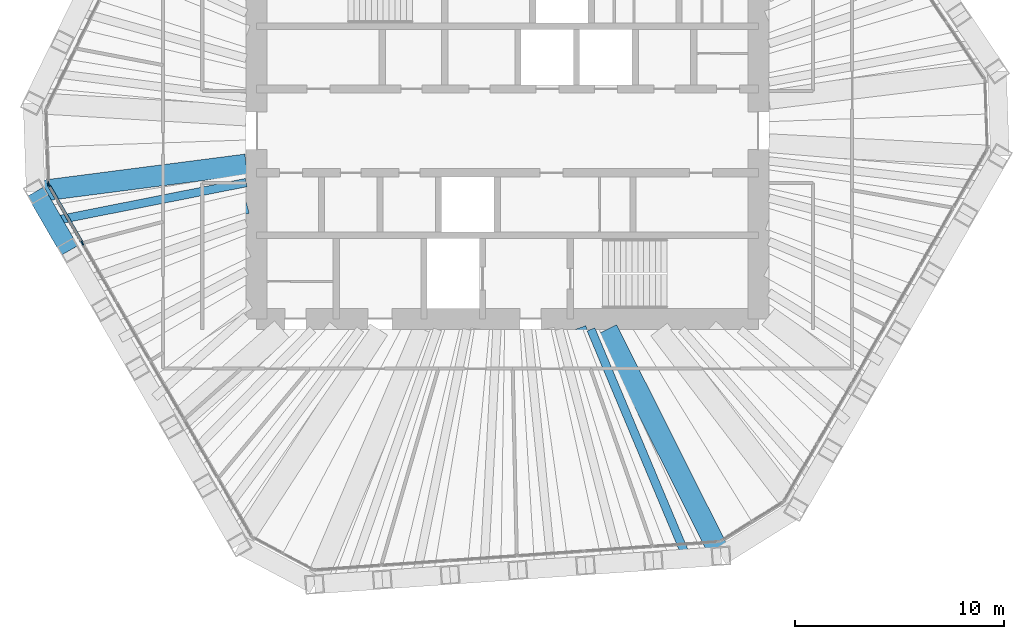
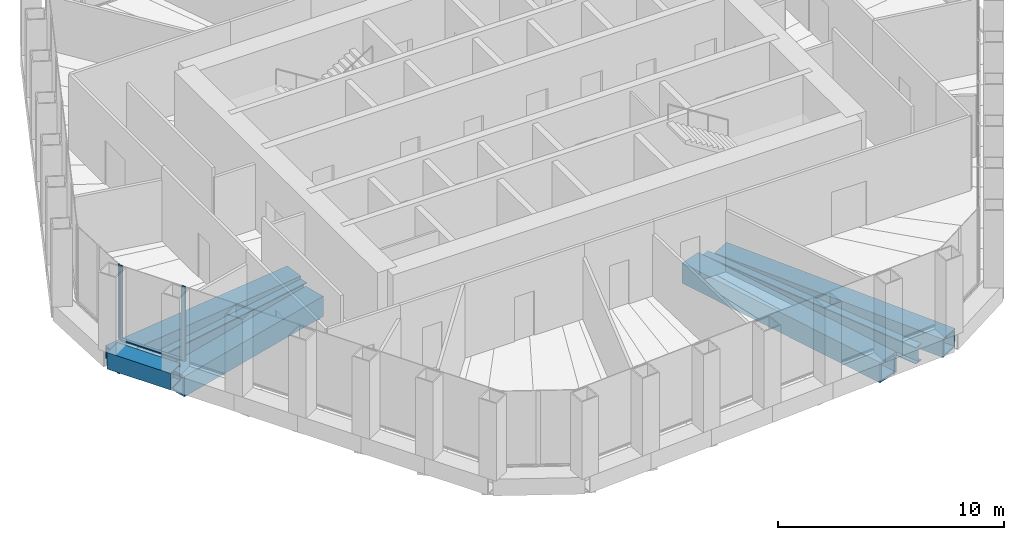
# One storey, part 3 of 14: 7 beams, 4 members, 2 elements without a shape of their own.
"""IFC4 building model written with IfcOpenShell, lengths in metres."""

from ifc_helpers import new_model, si_unit, direction, frame, origin, origin_2d, place, context, subcontext, project, spatial, rectangle, hollow_rectangle, i_section, extrude, material, material_profile, profile_set, type_object, element, aggregate, save


model = new_model("IFC4")

# Units and contexts
model_context = context("Model", 3, precision=1e-05, world=origin(), true_north=direction((0.0, 1.0)))
body_context = subcontext(model_context, "Body", "Model", "MODEL_VIEW")
ifc_project = project(units=[si_unit("LENGTHUNIT", "METRE"), si_unit("AREAUNIT", "SQUARE_METRE"), si_unit("VOLUMEUNIT", "CUBIC_METRE"), si_unit("PLANEANGLEUNIT", "RADIAN"), si_unit("MASSUNIT", "GRAM", prefix="KILO")], contexts=[model_context])

# Site, building, storey
site_placement = place(None, origin())
site = spatial("IfcSite", under=ifc_project, at=site_placement, CompositionType="ELEMENT")
building_placement = place(site_placement, origin())
building = spatial("IfcBuilding", under=site, at=building_placement, Name="Qingtian Harvest Tower", CompositionType="ELEMENT")
storey_placement = place(building_placement, frame((0.0, 0.0, 266.199951171875)))
storey = spatial("IfcBuildingStorey", under=building, at=storey_placement, Name="L58", CompositionType="ELEMENT", Elevation=266.199951171875)

# Beams
ifc_material_1 = material(Name="Steel SN490B", Category="steel")
ifc_material_profile_1 = material_profile(ifc_material_1, i_section(OverallWidth=0.39990234375, OverallDepth=0.89990234375, WebThickness=0.01904296875, FlangeThickness=0.035888671875, at=origin_2d()), Name="H900x400x19x36")
ifc_profile_set_1 = profile_set([ifc_material_profile_1], Name="Steel SN490B")
beam_type_1 = type_object("IfcBeamType", Name="Floor joist J4 H900x400x19x36", PredefinedType="JOIST", material=ifc_profile_set_1)
beam_1_placement = place(storey_placement, frame((8.58935546875, -20.45068359375, -0.619873046875), z_axis=(-0.387238075679, 0.921979757232, 0.0), x_axis=(-0.921979757232, -0.387238075679, 0.0)))
element("IfcBeam", 1, at=beam_1_placement, inside=storey, type_object=beam_type_1, Name="Floor joist J4 S0", PredefinedType="JOIST", context=body_context, shape_type="SweptSolid", body=[
    extrude(i_section(OverallWidth=0.39990234375, OverallDepth=0.89990234375, WebThickness=0.01904296875, FlangeThickness=0.035888671875, at=origin_2d()), origin(), (0.0, 0.0, 1.0), 11.87744140625),
])
beam_2_placement = place(storey_placement, frame((-21.757568359375, -4.31494140625, -0.619873046875), z_axis=(0.980896774681, 0.194528962937, 0.0), x_axis=(-0.194528962937, 0.980896774681, 0.0)))
element("IfcBeam", 2, at=beam_2_placement, inside=storey, type_object=beam_type_1, Name="Floor joist J4 SW5", PredefinedType="JOIST", context=body_context, shape_type="SweptSolid", body=[
    extrude(i_section(OverallWidth=0.39990234375, OverallDepth=0.89990234375, WebThickness=0.01904296875, FlangeThickness=0.035888671875, at=origin_2d()), origin(), (0.0, 0.0, 1.0), 9.437744140625),
])

# Curtain wall, members
ifc_material_2 = material(Name="Bronze-anodised aluminium curtain wall", Category="aluminium")
curtain_wall_type = type_object("IfcCurtainWallType", Name="Curtain wall CW5 upper office", PredefinedType="USERDEFINED", material=ifc_material_2)
curtain_wall_1_placement = place(storey_placement, origin())
curtain_wall_1 = element("IfcCurtainWall", 3, at=curtain_wall_1_placement, inside=storey, type_object=curtain_wall_type, Name="Curtain wall CW5 L58 SW0-5", ObjectType="RECESSED CURTAIN WALL", PredefinedType="USERDEFINED")
ifc_material_3 = material(Name="Bronze-anodised aluminium mullion", Category="aluminium")
ifc_material_profile_2 = material_profile(ifc_material_3, rectangle(XDim=0.06494140625, YDim=0.199951171875, at=origin_2d()), Name="AL 65x200")
ifc_profile_set_2 = profile_set([ifc_material_profile_2], Name="Bronze-anodised aluminium mullion")
member_type_1 = type_object("IfcMemberType", Name="Mullion CWM 65x200", PredefinedType="MULLION", material=ifc_profile_set_2)
member_1_placement = place(storey_placement, frame((-20.33935546875, -5.371337890625, 0.0), z_axis=(0.0, 0.0, 1.0), x_axis=(-0.866025403784, -0.5, 0.0)))
member_1 = element("IfcMember", 4, at=member_1_placement, type_object=member_type_1, Name="CW5 mullion 6", PredefinedType="MULLION", context=body_context, shape_type="SweptSolid", body=[
    extrude(rectangle(XDim=0.06494140625, YDim=0.199951171875, at=origin_2d()), origin(), (0.0, 0.0, 1.0), 4.030029296875),
])
member_2_placement = place(storey_placement, frame((-21.947021484375, -2.586669921875, 0.0), z_axis=(0.0, 0.0, 1.0), x_axis=(-0.866025403784, -0.5, 0.0)))
member_2 = element("IfcMember", 5, at=member_2_placement, type_object=member_type_1, Name="CW5 mullion 7", PredefinedType="MULLION", context=body_context, shape_type="SweptSolid", body=[
    extrude(rectangle(XDim=0.06494140625, YDim=0.199951171875, at=origin_2d()), origin(), (0.0, 0.0, 1.0), 4.030029296875),
])

# Curtain wall, member
curtain_wall_2_placement = place(storey_placement, origin())
curtain_wall_2 = element("IfcCurtainWall", 6, at=curtain_wall_2_placement, inside=storey, type_object=curtain_wall_type, Name="Curtain wall CW5 L58 SWC", ObjectType="RECESSED CURTAIN WALL", PredefinedType="USERDEFINED")
member_3_placement = place(storey_placement, frame((-21.96435546875, -2.526123046875, 0.0), z_axis=(0.0, 0.0, 1.0), x_axis=(-0.999390827019, -0.034899496703, 0.0)))
member_3 = element("IfcMember", 7, at=member_3_placement, type_object=member_type_1, Name="CW5 mullion 1", PredefinedType="MULLION", context=body_context, shape_type="SweptSolid", body=[
    extrude(rectangle(XDim=0.06494140625, YDim=0.199951171875, at=origin_2d()), origin(), (0.0, 0.0, 1.0), 4.030029296875),
])
aggregate(curtain_wall_2, [member_3])

# Beams
ifc_material_4 = material(Name="Steel SM570MC", Category="steel")
ifc_material_profile_3 = material_profile(ifc_material_4, hollow_rectangle(XDim=1.0, YDim=1.0, WallThickness=0.080078125, at=origin_2d()), Name="BOX1000x1000x80")
ifc_profile_set_3 = profile_set([ifc_material_profile_3], Name="Steel SM570MC")
beam_type_2 = type_object("IfcBeamType", Name="Transfer corner beam FB11 BOX1000x1000x80", PredefinedType="BEAM", material=ifc_profile_set_3)
beam_3_placement = place(storey_placement, frame((10.20947265625, -20.33740234375, -0.669921875), z_axis=(-0.448646499463, 0.89370930314, 0.0), x_axis=(-0.89370930314, -0.448646499463, 0.0)))
element("IfcBeam", 8, at=beam_3_placement, inside=storey, type_object=beam_type_2, Name="Floor beam FB11 S0", PredefinedType="BEAM", context=body_context, shape_type="SweptSolid", body=[
    extrude(hollow_rectangle(XDim=1.0, YDim=1.0, WallThickness=0.080078125, at=origin_2d()), origin(), (0.0, 0.0, 1.0), 12.126220703125),
])
beam_4_placement = place(storey_placement, frame((-22.569580078125, -2.908447265625, -0.669921875), z_axis=(0.991799019918, 0.127807292784, 0.0), x_axis=(-0.127807292784, 0.991799019918, 0.0)))
element("IfcBeam", 9, at=beam_4_placement, inside=storey, type_object=beam_type_2, Name="Floor beam FB11 SW6", PredefinedType="BEAM", context=body_context, shape_type="SweptSolid", body=[
    extrude(hollow_rectangle(XDim=1.0, YDim=1.0, WallThickness=0.080078125, at=origin_2d()), origin(), (0.0, 0.0, 1.0), 10.15283203125),
])
ifc_material_5 = material(Name="Steel SM570MC", Category="steel")
ifc_material_profile_4 = material_profile(ifc_material_5, hollow_rectangle(XDim=1.10009765625, YDim=1.10009765625, WallThickness=0.10009765625, at=origin_2d()), Name="BOX1100x1100x100")
ifc_profile_set_4 = profile_set([ifc_material_profile_4], Name="Steel SM570MC")
beam_type_3 = type_object("IfcBeamType", Name="Transfer floor beam FB9 BOX1100x1100x100", PredefinedType="BEAM", material=ifc_profile_set_4)
beam_5_placement = place(storey_placement, frame((6.96923828125, -20.56396484375, -0.719970703125), z_axis=(-0.320963665382, 0.947091508517, 0.0), x_axis=(-0.947091508517, -0.320963665382, 0.0)))
element("IfcBeam", 10, at=beam_5_placement, inside=storey, type_object=beam_type_3, Name="Floor beam FB9 S1", PredefinedType="BEAM", context=body_context, shape_type="SweptSolid", body=[
    extrude(hollow_rectangle(XDim=1.10009765625, YDim=1.10009765625, WallThickness=0.10009765625, at=origin_2d()), origin(), (0.0, 0.0, 1.0), 11.68212890625),
])
beam_6_placement = place(storey_placement, frame((-20.945556640625, -5.721435546875, -0.719970703125), z_axis=(0.964660783636, 0.263494919335, 0.0), x_axis=(-0.263494919335, 0.964660783636, 0.0)))
element("IfcBeam", 11, at=beam_6_placement, inside=storey, type_object=beam_type_3, Name="Floor beam FB9 SW5", PredefinedType="BEAM", context=body_context, shape_type="SweptSolid", body=[
    extrude(hollow_rectangle(XDim=1.10009765625, YDim=1.10009765625, WallThickness=0.10009765625, at=origin_2d()), origin(), (0.0, 0.0, 1.0), 8.7548828125),
])
ifc_material_6 = material(Name="Steel SM570MC", Category="steel")
ifc_material_profile_5 = material_profile(ifc_material_6, hollow_rectangle(XDim=0.89990234375, YDim=0.89990234375, WallThickness=0.050048828125, at=origin_2d()), Name="BOX900x900x50")
ifc_profile_set_5 = profile_set([ifc_material_profile_5], Name="Steel SM570MC")
beam_type_4 = type_object("IfcBeamType", Name="Transition spandrel SB6 BOX900x900x50", PredefinedType="SPANDREL", material=ifc_profile_set_5)
beam_7_placement = place(storey_placement, frame((-20.945556640625, -5.721435546875, -0.449951171875), z_axis=(-0.499987045439, 0.866032882975, 0.0), x_axis=(-0.866032882975, -0.499987045439, 0.0)))
element("IfcBeam", 12, at=beam_7_placement, inside=storey, type_object=beam_type_4, Name="Spandrel SB6 SW5", PredefinedType="SPANDREL", context=body_context, shape_type="SweptSolid", body=[
    extrude(hollow_rectangle(XDim=0.89990234375, YDim=0.89990234375, WallThickness=0.050048828125, at=origin_2d()), origin(), (0.0, 0.0, 1.0), 3.248046875),
])

# Member
ifc_material_7 = material(Name="Bronze-anodised aluminium transom", Category="aluminium")
ifc_material_profile_6 = material_profile(ifc_material_7, rectangle(XDim=0.14990234375, YDim=0.06494140625, at=origin_2d()), Name="AL 65x150")
ifc_profile_set_6 = profile_set([ifc_material_profile_6], Name="Bronze-anodised aluminium transom")
member_type_2 = type_object("IfcMemberType", Name="Transom CWT 65x150", PredefinedType="USERDEFINED", material=ifc_profile_set_6)
member_4_placement = place(storey_placement, frame((-20.35546875, -5.34326171875, 0.032470703125), z_axis=(-0.499972881236, 0.866041060244, 0.0), x_axis=(-0.866041060244, -0.499972881236, 0.0)))
member_4 = element("IfcMember", 13, at=member_4_placement, type_object=member_type_2, Name="CW5 transom 6.1", ObjectType="TRANSOM", PredefinedType="USERDEFINED", context=body_context, shape_type="SweptSolid", body=[
    extrude(rectangle(XDim=0.14990234375, YDim=0.06494140625, at=origin_2d()), origin(), (0.0, 0.0, 1.0), 3.150634765625),
])

aggregate(curtain_wall_1, [member_1, member_2, member_4])

save(model, "model.ifc")
